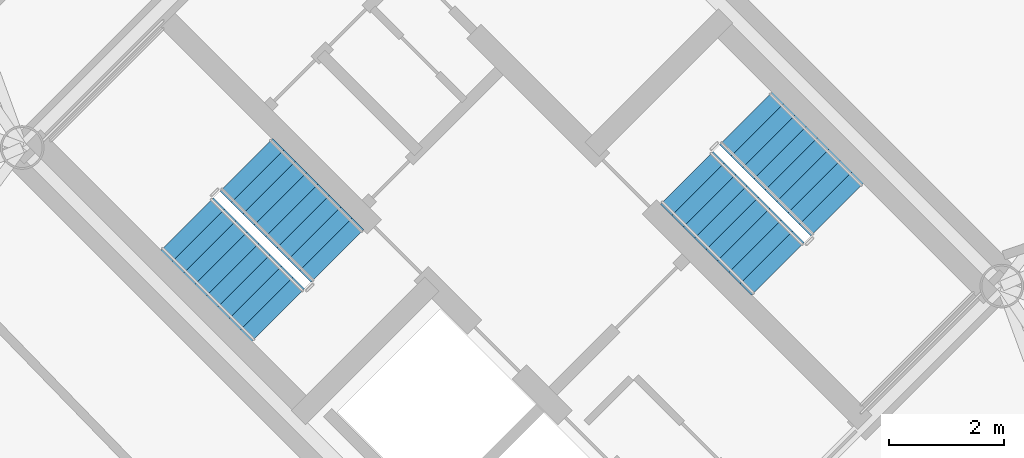
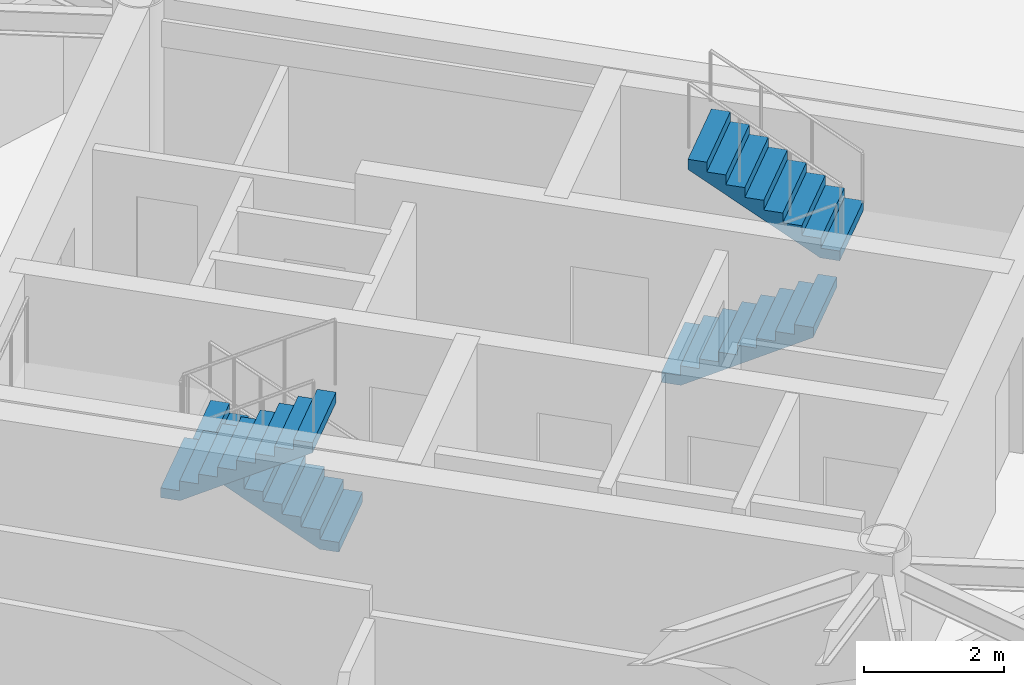
# One storey, part 15 of 19: 4 stair flights, 2 elements without a shape of their own.
"""IFC4 building model written with IfcOpenShell, lengths in metres."""

from ifc_helpers import new_model, si_unit, direction, frame, origin, place, context, subcontext, project, spatial, polyline, outline, extrude, material, type_object, element, aggregate, save


model = new_model("IFC4")

# Units and contexts
model_context = context("Model", 3, precision=1e-05, world=origin(), true_north=direction((0.0, 1.0)))
body_context = subcontext(model_context, "Body", "Model", "MODEL_VIEW")
ifc_project = project(units=[si_unit("LENGTHUNIT", "METRE"), si_unit("AREAUNIT", "SQUARE_METRE"), si_unit("VOLUMEUNIT", "CUBIC_METRE"), si_unit("PLANEANGLEUNIT", "RADIAN"), si_unit("MASSUNIT", "GRAM", prefix="KILO")], contexts=[model_context])

# Site, building, storey
site_placement = place(None, origin())
site = spatial("IfcSite", under=ifc_project, at=site_placement, CompositionType="ELEMENT")
building_placement = place(site_placement, origin())
building = spatial("IfcBuilding", under=site, at=building_placement, Name="Cununo Teusaquillo Station Towers", CompositionType="ELEMENT")
storey_placement = place(building_placement, frame((0.0, 0.0, 144.0400390625)))
storey = spatial("IfcBuildingStorey", under=building, at=storey_placement, Name="L45", CompositionType="ELEMENT", Elevation=144.0400390625)

# Stair, stair flights
ifc_material_1 = material(Name="Concrete C50/60", Category="concrete")
stair_type = type_object("IfcStairType", Name="ST-TWR-1300", PredefinedType="HALF_TURN_STAIR", material=ifc_material_1)
stair_1_placement = place(storey_placement, origin())
stair_1 = element("IfcStair", 1, at=stair_1_placement, inside=storey, type_object=stair_type, Name="L45 Tower B Protected Core Exit Stair 1", PredefinedType="HALF_TURN_STAIR")
ifc_material_2 = material(Name="Concrete C50/60", Category="concrete")
stair_flight_type = type_object("IfcStairFlightType", Name="SFL-TWR-1300", PredefinedType="STRAIGHT", material=ifc_material_2)
stair_flight_1_placement = place(storey_placement, frame((54.45947265625, 23.8212890625, 0.0), z_axis=(0.0, 0.0, 1.0), x_axis=(-0.707106781187, 0.707106781187, 0.0)))
stair_flight_1 = element("IfcStairFlight", 2, at=stair_flight_1_placement, type_object=stair_flight_type, Name="ST-T2-1 flight 1", NumberOfRisers=9, NumberOfTreads=8, PredefinedType="STRAIGHT", RiserHeight=0.17, TreadLength=0.28, context=body_context, shape_type="SweptSolid", body=[
    extrude(outline(polyline([(0.0, 0.0), (0.0, 0.169921875), (0.280029296875, 0.169921875), (0.280029296875, 0.340087890625), (0.56005859375, 0.340087890625), (0.56005859375, 0.510009765625), (0.840087890625, 0.510009765625), (0.840087890625, 0.679931640625), (1.1201171875, 0.679931640625), (1.1201171875, 0.85009765625), (1.39990234375, 0.85009765625), (1.39990234375, 1.02001953125), (1.679931640625, 1.02001953125), (1.679931640625, 1.18994140625), (1.9599609375, 1.18994140625), (1.9599609375, 1.360107421875), (2.239990234375, 1.360107421875), (2.239990234375, 1.530029296875), (2.239990234375, 1.1845703125), (0.288818359375, 0.0), (0.0, 0.0)])), frame((0.0, 0.64990234375, 0.0), z_axis=(0.0, -1.0, 0.0), x_axis=(1.0, 0.0, 0.0)), (0.0, 0.0, 1.0), 1.300048828125),
])
stair_flight_2_placement = place(storey_placement, frame((51.84326171875, 24.372802734375, 1.530029296875), z_axis=(0.0, 0.0, 1.0), x_axis=(0.707106781187, -0.707106781187, 0.0)))
stair_flight_2 = element("IfcStairFlight", 3, at=stair_flight_2_placement, type_object=stair_flight_type, Name="ST-T2-1 flight 2", NumberOfRisers=9, NumberOfTreads=8, PredefinedType="STRAIGHT", RiserHeight=0.17, TreadLength=0.28, context=body_context, shape_type="SweptSolid", body=[
    extrude(outline(polyline([(0.0, 0.0), (0.0, 0.169921875), (0.280029296875, 0.169921875), (0.280029296875, 0.340087890625), (0.56005859375, 0.340087890625), (0.56005859375, 0.510009765625), (0.840087890625, 0.510009765625), (0.840087890625, 0.679931640625), (1.1201171875, 0.679931640625), (1.1201171875, 0.85009765625), (1.39990234375, 0.85009765625), (1.39990234375, 1.02001953125), (1.679931640625, 1.02001953125), (1.679931640625, 1.18994140625), (1.9599609375, 1.18994140625), (1.9599609375, 1.360107421875), (2.239990234375, 1.360107421875), (2.239990234375, 1.530029296875), (2.239990234375, 1.1845703125), (0.288818359375, 0.0), (0.0, 0.0)])), frame((0.0, 0.64990234375, 0.0), z_axis=(0.0, -1.0, 0.0), x_axis=(1.0, 0.0, 0.0)), (0.0, 0.0, 1.0), 1.300048828125),
])
aggregate(stair_1, [stair_flight_1, stair_flight_2])

stair_2_placement = place(storey_placement, origin())
stair_2 = element("IfcStair", 4, at=stair_2_placement, inside=storey, type_object=stair_type, Name="L45 Tower B Protected Core Exit Stair 2", PredefinedType="HALF_TURN_STAIR")
stair_flight_3_placement = place(storey_placement, frame((60.54052734375, 25.1787109375, 0.0), z_axis=(0.0, 0.0, 1.0), x_axis=(0.707106781187, -0.707106781187, 0.0)))
stair_flight_3 = element("IfcStairFlight", 5, at=stair_flight_3_placement, type_object=stair_flight_type, Name="ST-T2-2 flight 1", NumberOfRisers=9, NumberOfTreads=8, PredefinedType="STRAIGHT", RiserHeight=0.17, TreadLength=0.28, context=body_context, shape_type="SweptSolid", body=[
    extrude(outline(polyline([(0.0, 0.0), (0.0, 0.169921875), (0.280029296875, 0.169921875), (0.280029296875, 0.340087890625), (0.56005859375, 0.340087890625), (0.56005859375, 0.510009765625), (0.840087890625, 0.510009765625), (0.840087890625, 0.679931640625), (1.1201171875, 0.679931640625), (1.1201171875, 0.85009765625), (1.39990234375, 0.85009765625), (1.39990234375, 1.02001953125), (1.679931640625, 1.02001953125), (1.679931640625, 1.18994140625), (1.9599609375, 1.18994140625), (1.9599609375, 1.360107421875), (2.239990234375, 1.360107421875), (2.239990234375, 1.530029296875), (2.239990234375, 1.1845703125), (0.288818359375, 0.0), (0.0, 0.0)])), frame((0.0, 0.64990234375, 0.0), z_axis=(0.0, -1.0, 0.0), x_axis=(1.0, 0.0, 0.0)), (0.0, 0.0, 1.0), 1.300048828125),
])
stair_flight_4_placement = place(storey_placement, frame((63.15673828125, 24.627197265625, 1.530029296875), z_axis=(0.0, 0.0, 1.0), x_axis=(-0.707106781187, 0.707106781187, 0.0)))
stair_flight_4 = element("IfcStairFlight", 6, at=stair_flight_4_placement, type_object=stair_flight_type, Name="ST-T2-2 flight 2", NumberOfRisers=9, NumberOfTreads=8, PredefinedType="STRAIGHT", RiserHeight=0.17, TreadLength=0.28, context=body_context, shape_type="SweptSolid", body=[
    extrude(outline(polyline([(0.0, 0.0), (0.0, 0.169921875), (0.280029296875, 0.169921875), (0.280029296875, 0.340087890625), (0.56005859375, 0.340087890625), (0.56005859375, 0.510009765625), (0.840087890625, 0.510009765625), (0.840087890625, 0.679931640625), (1.1201171875, 0.679931640625), (1.1201171875, 0.85009765625), (1.39990234375, 0.85009765625), (1.39990234375, 1.02001953125), (1.679931640625, 1.02001953125), (1.679931640625, 1.18994140625), (1.9599609375, 1.18994140625), (1.9599609375, 1.360107421875), (2.239990234375, 1.360107421875), (2.239990234375, 1.530029296875), (2.239990234375, 1.1845703125), (0.288818359375, 0.0), (0.0, 0.0)])), frame((0.0, 0.64990234375, 0.0), z_axis=(0.0, -1.0, 0.0), x_axis=(1.0, 0.0, 0.0)), (0.0, 0.0, 1.0), 1.300048828125),
])
aggregate(stair_2, [stair_flight_3, stair_flight_4])

save(model, "model.ifc")
